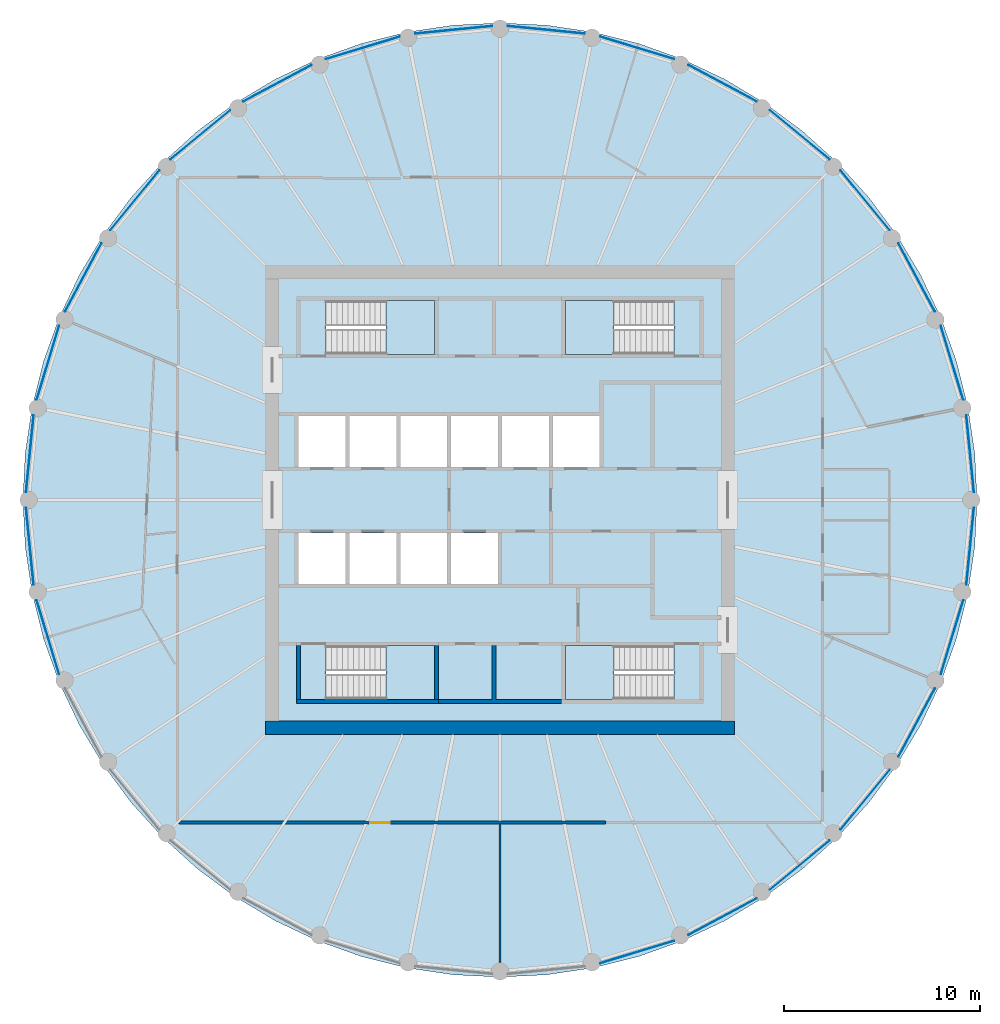
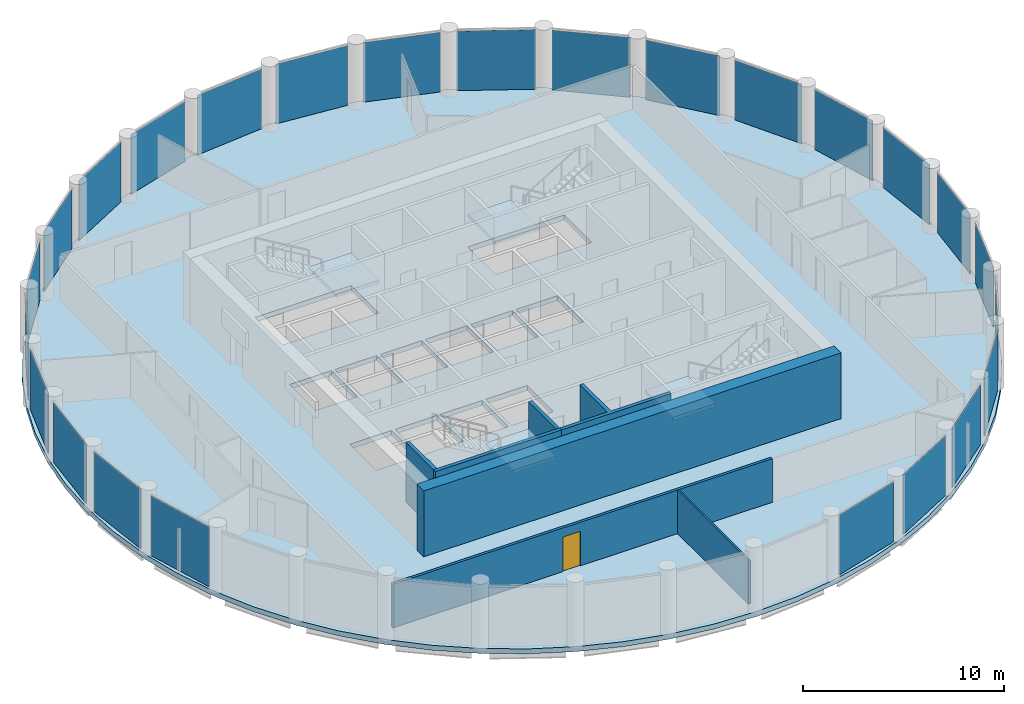
# One storey, part 3 of 7: 25 plates, 7 walls, 5 slabs, 1 door, 1 opening, 29 elements without a shape of their own.
"""IFC4 building model written with IfcOpenShell, lengths in metres."""

from ifc_helpers import new_model, si_unit, direction, frame, frame_2d, origin, origin_2d, place, context, subcontext, project, spatial, polyline, rectangle, outline, extrude, material, layer, layer_set, type_object, element, fill, aggregate, save


model = new_model("IFC4")

# Units and contexts
model_context = context("Model", 3, precision=1e-05, world=origin(), true_north=direction((0.0, 1.0)))
body_context = subcontext(model_context, "Body", "Model", "MODEL_VIEW")
ifc_project = project(units=[si_unit("LENGTHUNIT", "METRE"), si_unit("AREAUNIT", "SQUARE_METRE"), si_unit("VOLUMEUNIT", "CUBIC_METRE"), si_unit("PLANEANGLEUNIT", "RADIAN"), si_unit("MASSUNIT", "GRAM", prefix="KILO")], contexts=[model_context])

# Site, building, storey
site_placement = place(None, origin())
site = spatial("IfcSite", under=ifc_project, at=site_placement, CompositionType="ELEMENT")
building_placement = place(site_placement, origin())
building = spatial("IfcBuilding", under=site, at=building_placement, Name="Corvane Civic Tower", CompositionType="ELEMENT")
storey_placement = place(building_placement, frame((0.0, 0.0, 315.0)))
storey = spatial("IfcBuildingStorey", under=building, at=storey_placement, Name="L75", CompositionType="ELEMENT", Elevation=315.0)

# Slab
ifc_material_1 = material(Name="Concrete C40/50", Category="concrete")
ifc_layer_1 = layer(ifc_material_1, 0.300048828125)
ifc_layer_set_1 = layer_set([ifc_layer_1], Name="Concrete C40/50")
slab_type_1 = type_object("IfcSlabType", Name="FLOOR SLAB 300", PredefinedType="FLOOR", material=ifc_layer_set_1)
slab_1_placement = place(storey_placement, frame((0.0, 0.0, -0.300048828125)))
element("IfcSlab", 1, at=slab_1_placement, inside=storey, type_object=slab_type_1, Name="SLB-L75", PredefinedType="FLOOR", context=body_context, shape_type="SweptSolid", body=[
    extrude(outline(polyline([(0.0, 24.39990234375), (-2.3916015625, 24.282470703125), (-4.76025390625, 23.93115234375), (-7.0830078125, 23.349365234375), (-9.33740234375, 22.542724609375), (-11.502197265625, 21.518798828125), (-13.555908203125, 20.287841796875), (-15.479248046875, 18.861572265625), (-17.25341796875, 17.25341796875), (-18.861572265625, 15.479248046875), (-20.287841796875, 13.555908203125), (-21.518798828125, 11.502197265625), (-22.542724609375, 9.33740234375), (-23.349365234375, 7.0830078125), (-23.93115234375, 4.76025390625), (-24.282470703125, 2.3916015625), (-24.39990234375, 0.0), (-24.282470703125, -2.3916015625), (-23.93115234375, -4.76025390625), (-23.349365234375, -7.0830078125), (-22.542724609375, -9.33740234375), (-21.518798828125, -11.502197265625), (-20.287841796875, -13.555908203125), (-18.861572265625, -15.479248046875), (-17.25341796875, -17.25341796875), (-15.479248046875, -18.861572265625), (-13.555908203125, -20.287841796875), (-11.502197265625, -21.518798828125), (-9.33740234375, -22.542724609375), (-7.0830078125, -23.349365234375), (-4.76025390625, -23.93115234375), (-2.3916015625, -24.282470703125), (0.0, -24.39990234375), (2.3916015625, -24.282470703125), (4.76025390625, -23.93115234375), (7.0830078125, -23.349365234375), (9.33740234375, -22.542724609375), (11.502197265625, -21.518798828125), (13.555908203125, -20.287841796875), (15.479248046875, -18.861572265625), (17.25341796875, -17.25341796875), (18.861572265625, -15.479248046875), (20.287841796875, -13.555908203125), (21.518798828125, -11.502197265625), (22.542724609375, -9.33740234375), (23.349365234375, -7.0830078125), (23.93115234375, -4.76025390625), (24.282470703125, -2.3916015625), (24.39990234375, 0.0), (24.282470703125, 2.3916015625), (23.93115234375, 4.76025390625), (23.349365234375, 7.0830078125), (22.542724609375, 9.33740234375), (21.518798828125, 11.502197265625), (20.287841796875, 13.555908203125), (18.861572265625, 15.479248046875), (17.25341796875, 17.25341796875), (15.479248046875, 18.861572265625), (13.555908203125, 20.287841796875), (11.502197265625, 21.518798828125), (9.33740234375, 22.542724609375), (7.0830078125, 23.349365234375), (4.76025390625, 23.93115234375), (2.3916015625, 24.282470703125), (0.0, 24.39990234375)]), holes=[polyline([(-7.89990234375, 1.699951171875), (-10.300048828125, 1.699951171875), (-10.300048828125, 4.300048828125), (-7.89990234375, 4.300048828125), (-7.89990234375, 1.699951171875)]), polyline([(-5.300048828125, 1.699951171875), (-7.699951171875, 1.699951171875), (-7.699951171875, 4.300048828125), (-5.300048828125, 4.300048828125), (-5.300048828125, 1.699951171875)]), polyline([(-2.699951171875, 4.300048828125), (-2.699951171875, 1.699951171875), (-5.10009765625, 1.699951171875), (-5.10009765625, 4.300048828125), (-2.699951171875, 4.300048828125)]), polyline([(-0.10009765625, 4.300048828125), (-0.10009765625, 1.699951171875), (-2.5, 1.699951171875), (-2.5, 4.300048828125), (-0.10009765625, 4.300048828125)]), polyline([(2.5, 4.300048828125), (2.5, 1.699951171875), (0.10009765625, 1.699951171875), (0.10009765625, 4.300048828125), (2.5, 4.300048828125)]), polyline([(5.10009765625, 4.300048828125), (5.10009765625, 1.699951171875), (2.699951171875, 1.699951171875), (2.699951171875, 4.300048828125), (5.10009765625, 4.300048828125)]), polyline([(-10.300048828125, -4.300048828125), (-10.300048828125, -1.699951171875), (-7.89990234375, -1.699951171875), (-7.89990234375, -4.300048828125), (-10.300048828125, -4.300048828125)]), polyline([(-7.699951171875, -4.300048828125), (-7.699951171875, -1.699951171875), (-5.300048828125, -1.699951171875), (-5.300048828125, -4.300048828125), (-7.699951171875, -4.300048828125)]), polyline([(-2.699951171875, -1.699951171875), (-2.699951171875, -4.300048828125), (-5.10009765625, -4.300048828125), (-5.10009765625, -1.699951171875), (-2.699951171875, -1.699951171875)]), polyline([(-2.5, -4.300048828125), (-2.5, -1.699951171875), (-0.10009765625, -1.699951171875), (-0.10009765625, -4.300048828125), (-2.5, -4.300048828125)]), polyline([(8.889892578125, 10.199951171875), (8.889892578125, 7.449951171875), (3.35009765625, 7.449951171875), (3.35009765625, 10.199951171875), (8.889892578125, 10.199951171875)]), polyline([(-8.889892578125, 7.449951171875), (-8.889892578125, 10.199951171875), (-3.35009765625, 10.199951171875), (-3.35009765625, 7.449951171875), (-8.889892578125, 7.449951171875)]), polyline([(8.889892578125, -7.449951171875), (8.889892578125, -10.199951171875), (3.35009765625, -10.199951171875), (3.35009765625, -7.449951171875), (8.889892578125, -7.449951171875)]), polyline([(-8.889892578125, -10.199951171875), (-8.889892578125, -7.449951171875), (-3.35009765625, -7.449951171875), (-3.35009765625, -10.199951171875), (-8.889892578125, -10.199951171875)])]), origin(), (0.0, 0.0, 1.0), 0.300048828125),
])

# Stair, slab
ifc_material_2 = material(Name="Concrete C40/50", Category="concrete")
stair_type = type_object("IfcStairType", Name="ST-STAIR-HALFTURN", PredefinedType="HALF_TURN_STAIR", material=ifc_material_2)
stair_1_placement = place(storey_placement, origin())
stair_1 = element("IfcStair", 2, at=stair_1_placement, inside=storey, type_object=stair_type, Name="L75 Exit stair ST1", PredefinedType="HALF_TURN_STAIR")
ifc_material_3 = material(Name="Concrete C40/50", Category="concrete")
ifc_layer_2 = layer(ifc_material_3, 0.199951171875)
ifc_layer_set_2 = layer_set([ifc_layer_2], Name="Concrete C40/50")
slab_type_2 = type_object("IfcSlabType", Name="ST-LANDING-RC", PredefinedType="LANDING", material=ifc_layer_set_2)
slab_2_placement = place(storey_placement, frame((0.0, 0.0, 1.800048828125)))
slab_2 = element("IfcSlab", 3, at=slab_2_placement, type_object=slab_type_2, Name="ST1 landing 1", PredefinedType="LANDING", context=body_context, shape_type="SweptSolid", body=[
    extrude(outline(polyline([(5.820068359375, 10.199951171875), (3.35009765625, 10.199951171875), (3.35009765625, 7.449951171875), (5.820068359375, 7.449951171875), (5.820068359375, 10.199951171875)])), origin(), (0.0, 0.0, 1.0), 0.199951171875),
])
aggregate(stair_1, [slab_2])

stair_2_placement = place(storey_placement, origin())
stair_2 = element("IfcStair", 4, at=stair_2_placement, inside=storey, type_object=stair_type, Name="L75 Exit stair ST2", PredefinedType="HALF_TURN_STAIR")
slab_3_placement = place(storey_placement, frame((0.0, 0.0, 1.800048828125)))
slab_3 = element("IfcSlab", 5, at=slab_3_placement, type_object=slab_type_2, Name="ST2 landing 1", PredefinedType="LANDING", context=body_context, shape_type="SweptSolid", body=[
    extrude(outline(polyline([(5.820068359375, -7.449951171875), (3.35009765625, -7.449951171875), (3.35009765625, -10.199951171875), (5.820068359375, -10.199951171875), (5.820068359375, -7.449951171875)])), origin(), (0.0, 0.0, 1.0), 0.199951171875),
])
aggregate(stair_2, [slab_3])

stair_3_placement = place(storey_placement, origin())
stair_3 = element("IfcStair", 6, at=stair_3_placement, inside=storey, type_object=stair_type, Name="L75 Exit stair ST3", PredefinedType="HALF_TURN_STAIR")
slab_4_placement = place(storey_placement, frame((0.0, 0.0, 1.800048828125)))
slab_4 = element("IfcSlab", 7, at=slab_4_placement, type_object=slab_type_2, Name="ST3 landing 1", PredefinedType="LANDING", context=body_context, shape_type="SweptSolid", body=[
    extrude(outline(polyline([(-5.820068359375, -10.199951171875), (-3.35009765625, -10.199951171875), (-3.35009765625, -7.449951171875), (-5.820068359375, -7.449951171875), (-5.820068359375, -10.199951171875)])), origin(), (0.0, 0.0, 1.0), 0.199951171875),
])
aggregate(stair_3, [slab_4])

stair_4_placement = place(storey_placement, origin())
stair_4 = element("IfcStair", 8, at=stair_4_placement, inside=storey, type_object=stair_type, Name="L75 Exit stair ST4", PredefinedType="HALF_TURN_STAIR")
slab_5_placement = place(storey_placement, frame((0.0, 0.0, 1.800048828125)))
slab_5 = element("IfcSlab", 9, at=slab_5_placement, type_object=slab_type_2, Name="ST4 landing 1", PredefinedType="LANDING", context=body_context, shape_type="SweptSolid", body=[
    extrude(outline(polyline([(-5.820068359375, 7.449951171875), (-3.35009765625, 7.449951171875), (-3.35009765625, 10.199951171875), (-5.820068359375, 10.199951171875), (-5.820068359375, 7.449951171875)])), origin(), (0.0, 0.0, 1.0), 0.199951171875),
])
aggregate(stair_4, [slab_5])

# Curtain wall, plate
ifc_material_4 = material(Name="Anodised aluminium bronze", Category="aluminium")
curtain_wall_type = type_object("IfcCurtainWallType", Name="TOWER CW-T3 STICK CURTAIN WALL", PredefinedType="NOTDEFINED", material=ifc_material_4)
curtain_wall_1_placement = place(storey_placement, origin())
curtain_wall_1 = element("IfcCurtainWall", 10, at=curtain_wall_1_placement, inside=storey, type_object=curtain_wall_type, Name="Curtain wall CW-T3 L75 bay 01", PredefinedType="NOTDEFINED")
ifc_material_5 = material(Name="Tinted glass", Category="glass")
ifc_layer_3 = layer(ifc_material_5, 0.028076171875)
ifc_layer_set_3 = layer_set([ifc_layer_3], Name="Tinted glass")
plate_type = type_object("IfcPlateType", Name="TOWER CW-T3 PANEL IGU28", PredefinedType="CURTAIN_PANEL", material=ifc_layer_set_3)
plate_1_placement = place(storey_placement, frame((2.368408203125, 24.046875, 0.0), z_axis=(0.0, 0.0, 1.0), x_axis=(0.99518437747, -0.098020685775, 0.0)))
plate_1 = element("IfcPlate", 11, at=plate_1_placement, type_object=plate_type, Name="Glass panel CW-T3 L75 01.1", PredefinedType="CURTAIN_PANEL", context=body_context, shape_type="SweptSolid", body=[
    extrude(rectangle(XDim=3.958740234375, YDim=0.028076171875, at=origin_2d()), origin(), (0.0, 0.0, 1.0), 3.6298828125),
])
aggregate(curtain_wall_1, [plate_1])

curtain_wall_2_placement = place(storey_placement, origin())
curtain_wall_2 = element("IfcCurtainWall", 12, at=curtain_wall_2_placement, inside=storey, type_object=curtain_wall_type, Name="Curtain wall CW-T3 L75 bay 02", PredefinedType="NOTDEFINED")
plate_2_placement = place(storey_placement, frame((7.01416015625, 23.12255859375, 0.0), z_axis=(0.0, 0.0, 1.0), x_axis=(0.956943694519, -0.290273604586, 0.0)))
plate_2 = element("IfcPlate", 13, at=plate_2_placement, type_object=plate_type, Name="Glass panel CW-T3 L75 02.1", PredefinedType="CURTAIN_PANEL", context=body_context, shape_type="SweptSolid", body=[
    extrude(rectangle(XDim=3.958984375, YDim=0.028076171875, at=origin_2d()), origin(), (0.0, 0.0, 1.0), 3.6298828125),
])
aggregate(curtain_wall_2, [plate_2])

curtain_wall_3_placement = place(storey_placement, origin())
curtain_wall_3 = element("IfcCurtainWall", 14, at=curtain_wall_3_placement, inside=storey, type_object=curtain_wall_type, Name="Curtain wall CW-T3 L75 bay 03", PredefinedType="NOTDEFINED")
plate_3_placement = place(storey_placement, frame((11.390380859375, 21.31005859375, 0.0), z_axis=(0.0, 0.0, 1.0), x_axis=(0.881908138655, -0.471421292448, 0.0)))
plate_3 = element("IfcPlate", 15, at=plate_3_placement, type_object=plate_type, Name="Glass panel CW-T3 L75 03.1", PredefinedType="CURTAIN_PANEL", context=body_context, shape_type="SweptSolid", body=[
    extrude(rectangle(XDim=3.958740234375, YDim=0.028076171875, at=origin_2d()), origin(), (0.0, 0.0, 1.0), 3.6298828125),
])
aggregate(curtain_wall_3, [plate_3])

curtain_wall_4_placement = place(storey_placement, origin())
curtain_wall_4 = element("IfcCurtainWall", 16, at=curtain_wall_4_placement, inside=storey, type_object=curtain_wall_type, Name="Curtain wall CW-T3 L75 bay 04", PredefinedType="NOTDEFINED")
plate_4_placement = place(storey_placement, frame((15.328857421875, 18.67822265625, 0.0), z_axis=(0.0, 0.0, 1.0), x_axis=(0.773001130565, -0.634404643855, 0.0)))
plate_4 = element("IfcPlate", 17, at=plate_4_placement, type_object=plate_type, Name="Glass panel CW-T3 L75 04.1", PredefinedType="CURTAIN_PANEL", context=body_context, shape_type="SweptSolid", body=[
    extrude(rectangle(XDim=3.958740234375, YDim=0.028076171875, at=origin_2d()), origin(), (0.0, 0.0, 1.0), 3.6298828125),
])
aggregate(curtain_wall_4, [plate_4])

curtain_wall_5_placement = place(storey_placement, origin())
curtain_wall_5 = element("IfcCurtainWall", 18, at=curtain_wall_5_placement, inside=storey, type_object=curtain_wall_type, Name="Curtain wall CW-T3 L75 bay 05", PredefinedType="NOTDEFINED")
plate_5_placement = place(storey_placement, frame((18.67822265625, 15.328857421875, 0.0), z_axis=(0.0, 0.0, 1.0), x_axis=(0.634404643855, -0.773001130565, 0.0)))
plate_5 = element("IfcPlate", 19, at=plate_5_placement, type_object=plate_type, Name="Glass panel CW-T3 L75 05.1", PredefinedType="CURTAIN_PANEL", context=body_context, shape_type="SweptSolid", body=[
    extrude(rectangle(XDim=3.958740234375, YDim=0.028076171875, at=origin_2d()), origin(), (0.0, 0.0, 1.0), 3.6298828125),
])
aggregate(curtain_wall_5, [plate_5])

curtain_wall_6_placement = place(storey_placement, origin())
curtain_wall_6 = element("IfcCurtainWall", 20, at=curtain_wall_6_placement, inside=storey, type_object=curtain_wall_type, Name="Curtain wall CW-T3 L75 bay 06", PredefinedType="NOTDEFINED")
plate_6_placement = place(storey_placement, frame((21.31005859375, 11.390380859375, 0.0), z_axis=(0.0, 0.0, 1.0), x_axis=(0.471421292448, -0.881908138655, 0.0)))
plate_6 = element("IfcPlate", 21, at=plate_6_placement, type_object=plate_type, Name="Glass panel CW-T3 L75 06.1", PredefinedType="CURTAIN_PANEL", context=body_context, shape_type="SweptSolid", body=[
    extrude(rectangle(XDim=3.958740234375, YDim=0.028076171875, at=origin_2d()), origin(), (0.0, 0.0, 1.0), 3.6298828125),
])
aggregate(curtain_wall_6, [plate_6])

curtain_wall_7_placement = place(storey_placement, origin())
curtain_wall_7 = element("IfcCurtainWall", 22, at=curtain_wall_7_placement, inside=storey, type_object=curtain_wall_type, Name="Curtain wall CW-T3 L75 bay 07", PredefinedType="NOTDEFINED")
plate_7_placement = place(storey_placement, frame((23.12255859375, 7.01416015625, 0.0), z_axis=(0.0, 0.0, 1.0), x_axis=(0.290273604586, -0.956943694519, 0.0)))
plate_7 = element("IfcPlate", 23, at=plate_7_placement, type_object=plate_type, Name="Glass panel CW-T3 L75 07.1", PredefinedType="CURTAIN_PANEL", context=body_context, shape_type="SweptSolid", body=[
    extrude(rectangle(XDim=3.958984375, YDim=0.028076171875, at=origin_2d()), origin(), (0.0, 0.0, 1.0), 3.6298828125),
])
aggregate(curtain_wall_7, [plate_7])

curtain_wall_8_placement = place(storey_placement, origin())
curtain_wall_8 = element("IfcCurtainWall", 24, at=curtain_wall_8_placement, inside=storey, type_object=curtain_wall_type, Name="Curtain wall CW-T3 L75 bay 08", PredefinedType="NOTDEFINED")
plate_8_placement = place(storey_placement, frame((24.046875, 2.368408203125, 0.0), z_axis=(0.0, 0.0, 1.0), x_axis=(0.098020685775, -0.99518437747, 0.0)))
plate_8 = element("IfcPlate", 25, at=plate_8_placement, type_object=plate_type, Name="Glass panel CW-T3 L75 08.1", PredefinedType="CURTAIN_PANEL", context=body_context, shape_type="SweptSolid", body=[
    extrude(rectangle(XDim=3.958740234375, YDim=0.028076171875, at=origin_2d()), origin(), (0.0, 0.0, 1.0), 3.6298828125),
])
aggregate(curtain_wall_8, [plate_8])

curtain_wall_9_placement = place(storey_placement, origin())
curtain_wall_9 = element("IfcCurtainWall", 26, at=curtain_wall_9_placement, inside=storey, type_object=curtain_wall_type, Name="Curtain wall CW-T3 L75 bay 09", PredefinedType="NOTDEFINED")
plate_9_placement = place(storey_placement, frame((24.046875, -2.368408203125, 0.0), z_axis=(0.0, 0.0, 1.0), x_axis=(-0.098020685775, -0.99518437747, 0.0)))
plate_9 = element("IfcPlate", 27, at=plate_9_placement, type_object=plate_type, Name="Glass panel CW-T3 L75 09.1", PredefinedType="CURTAIN_PANEL", context=body_context, shape_type="SweptSolid", body=[
    extrude(rectangle(XDim=3.958740234375, YDim=0.028076171875, at=origin_2d()), origin(), (0.0, 0.0, 1.0), 3.6298828125),
])
aggregate(curtain_wall_9, [plate_9])

curtain_wall_10_placement = place(storey_placement, origin())
curtain_wall_10 = element("IfcCurtainWall", 28, at=curtain_wall_10_placement, inside=storey, type_object=curtain_wall_type, Name="Curtain wall CW-T3 L75 bay 10", PredefinedType="NOTDEFINED")
plate_10_placement = place(storey_placement, frame((23.12255859375, -7.01416015625, 0.0), z_axis=(0.0, 0.0, 1.0), x_axis=(-0.290273604586, -0.956943694519, 0.0)))
plate_10 = element("IfcPlate", 29, at=plate_10_placement, type_object=plate_type, Name="Glass panel CW-T3 L75 10.1", PredefinedType="CURTAIN_PANEL", context=body_context, shape_type="SweptSolid", body=[
    extrude(rectangle(XDim=3.958984375, YDim=0.028076171875, at=origin_2d()), origin(), (0.0, 0.0, 1.0), 3.6298828125),
])
aggregate(curtain_wall_10, [plate_10])

curtain_wall_11_placement = place(storey_placement, origin())
curtain_wall_11 = element("IfcCurtainWall", 30, at=curtain_wall_11_placement, inside=storey, type_object=curtain_wall_type, Name="Curtain wall CW-T3 L75 bay 11", PredefinedType="NOTDEFINED")
plate_11_placement = place(storey_placement, frame((21.31005859375, -11.390380859375, 0.0), z_axis=(0.0, 0.0, 1.0), x_axis=(-0.471421292448, -0.881908138655, 0.0)))
plate_11 = element("IfcPlate", 31, at=plate_11_placement, type_object=plate_type, Name="Glass panel CW-T3 L75 11.1", PredefinedType="CURTAIN_PANEL", context=body_context, shape_type="SweptSolid", body=[
    extrude(rectangle(XDim=3.958740234375, YDim=0.028076171875, at=origin_2d()), origin(), (0.0, 0.0, 1.0), 3.6298828125),
])
aggregate(curtain_wall_11, [plate_11])

curtain_wall_12_placement = place(storey_placement, origin())
curtain_wall_12 = element("IfcCurtainWall", 32, at=curtain_wall_12_placement, inside=storey, type_object=curtain_wall_type, Name="Curtain wall CW-T3 L75 bay 12", PredefinedType="NOTDEFINED")
plate_12_placement = place(storey_placement, frame((18.67822265625, -15.328857421875, 0.0), z_axis=(0.0, 0.0, 1.0), x_axis=(-0.634404643855, -0.773001130565, 0.0)))
plate_12 = element("IfcPlate", 33, at=plate_12_placement, type_object=plate_type, Name="Glass panel CW-T3 L75 12.1", PredefinedType="CURTAIN_PANEL", context=body_context, shape_type="SweptSolid", body=[
    extrude(rectangle(XDim=3.958740234375, YDim=0.028076171875, at=origin_2d()), origin(), (0.0, 0.0, 1.0), 3.6298828125),
])
aggregate(curtain_wall_12, [plate_12])

curtain_wall_13_placement = place(storey_placement, origin())
curtain_wall_13 = element("IfcCurtainWall", 34, at=curtain_wall_13_placement, inside=storey, type_object=curtain_wall_type, Name="Curtain wall CW-T3 L75 bay 13", PredefinedType="NOTDEFINED")
plate_13_placement = place(storey_placement, frame((15.328857421875, -18.67822265625, 0.0), z_axis=(0.0, 0.0, 1.0), x_axis=(-0.773001130565, -0.634404643855, 0.0)))
plate_13 = element("IfcPlate", 35, at=plate_13_placement, type_object=plate_type, Name="Glass panel CW-T3 L75 13.1", PredefinedType="CURTAIN_PANEL", context=body_context, shape_type="SweptSolid", body=[
    extrude(rectangle(XDim=3.958740234375, YDim=0.028076171875, at=origin_2d()), origin(), (0.0, 0.0, 1.0), 3.6298828125),
])
aggregate(curtain_wall_13, [plate_13])

curtain_wall_14_placement = place(storey_placement, origin())
curtain_wall_14 = element("IfcCurtainWall", 36, at=curtain_wall_14_placement, inside=storey, type_object=curtain_wall_type, Name="Curtain wall CW-T3 L75 bay 14", PredefinedType="NOTDEFINED")
plate_14_placement = place(storey_placement, frame((11.390380859375, -21.31005859375, 0.0), z_axis=(0.0, 0.0, 1.0), x_axis=(-0.881908138655, -0.471421292448, 0.0)))
plate_14 = element("IfcPlate", 37, at=plate_14_placement, type_object=plate_type, Name="Glass panel CW-T3 L75 14.1", PredefinedType="CURTAIN_PANEL", context=body_context, shape_type="SweptSolid", body=[
    extrude(rectangle(XDim=3.958740234375, YDim=0.028076171875, at=origin_2d()), origin(), (0.0, 0.0, 1.0), 3.6298828125),
])
aggregate(curtain_wall_14, [plate_14])

curtain_wall_15_placement = place(storey_placement, origin())
curtain_wall_15 = element("IfcCurtainWall", 38, at=curtain_wall_15_placement, inside=storey, type_object=curtain_wall_type, Name="Curtain wall CW-T3 L75 bay 15", PredefinedType="NOTDEFINED")
plate_15_placement = place(storey_placement, frame((7.01416015625, -23.12255859375, 0.0), z_axis=(0.0, 0.0, 1.0), x_axis=(-0.956943694519, -0.290273604586, 0.0)))
plate_15 = element("IfcPlate", 39, at=plate_15_placement, type_object=plate_type, Name="Glass panel CW-T3 L75 15.1", PredefinedType="CURTAIN_PANEL", context=body_context, shape_type="SweptSolid", body=[
    extrude(rectangle(XDim=3.958984375, YDim=0.028076171875, at=origin_2d()), origin(), (0.0, 0.0, 1.0), 3.6298828125),
])
aggregate(curtain_wall_15, [plate_15])

curtain_wall_16_placement = place(storey_placement, origin())
curtain_wall_16 = element("IfcCurtainWall", 40, at=curtain_wall_16_placement, inside=storey, type_object=curtain_wall_type, Name="Curtain wall CW-T3 L75 bay 23", PredefinedType="NOTDEFINED")
plate_16_placement = place(storey_placement, frame((-23.12255859375, -7.01416015625, 0.0), z_axis=(0.0, 0.0, 1.0), x_axis=(-0.290273604586, 0.956943694519, 0.0)))
plate_16 = element("IfcPlate", 41, at=plate_16_placement, type_object=plate_type, Name="Glass panel CW-T3 L75 23.1", PredefinedType="CURTAIN_PANEL", context=body_context, shape_type="SweptSolid", body=[
    extrude(rectangle(XDim=3.958984375, YDim=0.028076171875, at=origin_2d()), origin(), (0.0, 0.0, 1.0), 3.6298828125),
])
aggregate(curtain_wall_16, [plate_16])

curtain_wall_17_placement = place(storey_placement, origin())
curtain_wall_17 = element("IfcCurtainWall", 42, at=curtain_wall_17_placement, inside=storey, type_object=curtain_wall_type, Name="Curtain wall CW-T3 L75 bay 24", PredefinedType="NOTDEFINED")
plate_17_placement = place(storey_placement, frame((-24.046875, -2.368408203125, 0.0), z_axis=(0.0, 0.0, 1.0), x_axis=(-0.098020685775, 0.99518437747, 0.0)))
plate_17 = element("IfcPlate", 43, at=plate_17_placement, type_object=plate_type, Name="Glass panel CW-T3 L75 24.1", PredefinedType="CURTAIN_PANEL", context=body_context, shape_type="SweptSolid", body=[
    extrude(rectangle(XDim=3.958740234375, YDim=0.028076171875, at=origin_2d()), origin(), (0.0, 0.0, 1.0), 3.6298828125),
])
aggregate(curtain_wall_17, [plate_17])

curtain_wall_18_placement = place(storey_placement, origin())
curtain_wall_18 = element("IfcCurtainWall", 44, at=curtain_wall_18_placement, inside=storey, type_object=curtain_wall_type, Name="Curtain wall CW-T3 L75 bay 25", PredefinedType="NOTDEFINED")
plate_18_placement = place(storey_placement, frame((-24.046875, 2.368408203125, 0.0), z_axis=(0.0, 0.0, 1.0), x_axis=(0.098020685775, 0.99518437747, 0.0)))
plate_18 = element("IfcPlate", 45, at=plate_18_placement, type_object=plate_type, Name="Glass panel CW-T3 L75 25.1", PredefinedType="CURTAIN_PANEL", context=body_context, shape_type="SweptSolid", body=[
    extrude(rectangle(XDim=3.958740234375, YDim=0.028076171875, at=origin_2d()), origin(), (0.0, 0.0, 1.0), 3.6298828125),
])
aggregate(curtain_wall_18, [plate_18])

curtain_wall_19_placement = place(storey_placement, origin())
curtain_wall_19 = element("IfcCurtainWall", 46, at=curtain_wall_19_placement, inside=storey, type_object=curtain_wall_type, Name="Curtain wall CW-T3 L75 bay 26", PredefinedType="NOTDEFINED")
plate_19_placement = place(storey_placement, frame((-23.12255859375, 7.01416015625, 0.0), z_axis=(0.0, 0.0, 1.0), x_axis=(0.290273604586, 0.956943694519, 0.0)))
plate_19 = element("IfcPlate", 47, at=plate_19_placement, type_object=plate_type, Name="Glass panel CW-T3 L75 26.1", PredefinedType="CURTAIN_PANEL", context=body_context, shape_type="SweptSolid", body=[
    extrude(rectangle(XDim=3.958984375, YDim=0.028076171875, at=origin_2d()), origin(), (0.0, 0.0, 1.0), 3.6298828125),
])
aggregate(curtain_wall_19, [plate_19])

curtain_wall_20_placement = place(storey_placement, origin())
curtain_wall_20 = element("IfcCurtainWall", 48, at=curtain_wall_20_placement, inside=storey, type_object=curtain_wall_type, Name="Curtain wall CW-T3 L75 bay 27", PredefinedType="NOTDEFINED")
plate_20_placement = place(storey_placement, frame((-21.31005859375, 11.390380859375, 0.0), z_axis=(0.0, 0.0, 1.0), x_axis=(0.471421292448, 0.881908138655, 0.0)))
plate_20 = element("IfcPlate", 49, at=plate_20_placement, type_object=plate_type, Name="Glass panel CW-T3 L75 27.1", PredefinedType="CURTAIN_PANEL", context=body_context, shape_type="SweptSolid", body=[
    extrude(rectangle(XDim=3.958740234375, YDim=0.028076171875, at=origin_2d()), origin(), (0.0, 0.0, 1.0), 3.6298828125),
])
aggregate(curtain_wall_20, [plate_20])

curtain_wall_21_placement = place(storey_placement, origin())
curtain_wall_21 = element("IfcCurtainWall", 50, at=curtain_wall_21_placement, inside=storey, type_object=curtain_wall_type, Name="Curtain wall CW-T3 L75 bay 28", PredefinedType="NOTDEFINED")
plate_21_placement = place(storey_placement, frame((-18.67822265625, 15.328857421875, 0.0), z_axis=(0.0, 0.0, 1.0), x_axis=(0.634404643855, 0.773001130565, 0.0)))
plate_21 = element("IfcPlate", 51, at=plate_21_placement, type_object=plate_type, Name="Glass panel CW-T3 L75 28.1", PredefinedType="CURTAIN_PANEL", context=body_context, shape_type="SweptSolid", body=[
    extrude(rectangle(XDim=3.958740234375, YDim=0.028076171875, at=origin_2d()), origin(), (0.0, 0.0, 1.0), 3.6298828125),
])
aggregate(curtain_wall_21, [plate_21])

curtain_wall_22_placement = place(storey_placement, origin())
curtain_wall_22 = element("IfcCurtainWall", 52, at=curtain_wall_22_placement, inside=storey, type_object=curtain_wall_type, Name="Curtain wall CW-T3 L75 bay 29", PredefinedType="NOTDEFINED")
plate_22_placement = place(storey_placement, frame((-15.328857421875, 18.67822265625, 0.0), z_axis=(0.0, 0.0, 1.0), x_axis=(0.773001130565, 0.634404643855, 0.0)))
plate_22 = element("IfcPlate", 53, at=plate_22_placement, type_object=plate_type, Name="Glass panel CW-T3 L75 29.1", PredefinedType="CURTAIN_PANEL", context=body_context, shape_type="SweptSolid", body=[
    extrude(rectangle(XDim=3.958740234375, YDim=0.028076171875, at=origin_2d()), origin(), (0.0, 0.0, 1.0), 3.6298828125),
])
aggregate(curtain_wall_22, [plate_22])

curtain_wall_23_placement = place(storey_placement, origin())
curtain_wall_23 = element("IfcCurtainWall", 54, at=curtain_wall_23_placement, inside=storey, type_object=curtain_wall_type, Name="Curtain wall CW-T3 L75 bay 30", PredefinedType="NOTDEFINED")
plate_23_placement = place(storey_placement, frame((-11.390380859375, 21.31005859375, 0.0), z_axis=(0.0, 0.0, 1.0), x_axis=(0.881908138655, 0.471421292448, 0.0)))
plate_23 = element("IfcPlate", 55, at=plate_23_placement, type_object=plate_type, Name="Glass panel CW-T3 L75 30.1", PredefinedType="CURTAIN_PANEL", context=body_context, shape_type="SweptSolid", body=[
    extrude(rectangle(XDim=3.958740234375, YDim=0.028076171875, at=origin_2d()), origin(), (0.0, 0.0, 1.0), 3.6298828125),
])
aggregate(curtain_wall_23, [plate_23])

curtain_wall_24_placement = place(storey_placement, origin())
curtain_wall_24 = element("IfcCurtainWall", 56, at=curtain_wall_24_placement, inside=storey, type_object=curtain_wall_type, Name="Curtain wall CW-T3 L75 bay 31", PredefinedType="NOTDEFINED")
plate_24_placement = place(storey_placement, frame((-7.01416015625, 23.12255859375, 0.0), z_axis=(0.0, 0.0, 1.0), x_axis=(0.956943694519, 0.290273604586, 0.0)))
plate_24 = element("IfcPlate", 57, at=plate_24_placement, type_object=plate_type, Name="Glass panel CW-T3 L75 31.1", PredefinedType="CURTAIN_PANEL", context=body_context, shape_type="SweptSolid", body=[
    extrude(rectangle(XDim=3.958984375, YDim=0.028076171875, at=origin_2d()), origin(), (0.0, 0.0, 1.0), 3.6298828125),
])
aggregate(curtain_wall_24, [plate_24])

curtain_wall_25_placement = place(storey_placement, origin())
curtain_wall_25 = element("IfcCurtainWall", 58, at=curtain_wall_25_placement, inside=storey, type_object=curtain_wall_type, Name="Curtain wall CW-T3 L75 bay 32", PredefinedType="NOTDEFINED")
plate_25_placement = place(storey_placement, frame((-2.368408203125, 24.046875, 0.0), z_axis=(0.0, 0.0, 1.0), x_axis=(0.99518437747, 0.098020685775, 0.0)))
plate_25 = element("IfcPlate", 59, at=plate_25_placement, type_object=plate_type, Name="Glass panel CW-T3 L75 32.1", PredefinedType="CURTAIN_PANEL", context=body_context, shape_type="SweptSolid", body=[
    extrude(rectangle(XDim=3.958740234375, YDim=0.028076171875, at=origin_2d()), origin(), (0.0, 0.0, 1.0), 3.6298828125),
])
aggregate(curtain_wall_25, [plate_25])

# Walls
ifc_material_6 = material(Name="Concrete C40/50", Category="concrete")
ifc_layer_4 = layer(ifc_material_6, 0.699951171875)
ifc_layer_set_4 = layer_set([ifc_layer_4], Name="Concrete C40/50")
wall_type_1 = type_object("IfcWallType", Name="CORE WALL 700 C40/50", PredefinedType="SHEAR", material=ifc_layer_set_4)
wall_1_placement = place(storey_placement, frame((-12.0, -11.64990234375, 0.0), z_axis=(0.0, 0.0, 1.0), x_axis=(1.0, 0.0, 0.0)))
element("IfcWall", 60, at=wall_1_placement, inside=storey, type_object=wall_type_1, Name="W-L75-core-S", PredefinedType="SHEAR", context=body_context, shape_type="SweptSolid", body=[
    extrude(rectangle(XDim=24.0, YDim=0.699951171875, at=frame_2d((12.0, 0.0))), origin(), (0.0, 0.0, 1.0), 4.0),
])
ifc_material_7 = material(Name="Concrete C30/37", Category="concrete")
ifc_layer_5 = layer(ifc_material_7, 0.199951171875)
ifc_layer_set_5 = layer_set([ifc_layer_5], Name="Concrete C30/37")
wall_type_2 = type_object("IfcWallType", Name="CR-WALL-200", PredefinedType="PARTITIONING", material=ifc_layer_set_5)
wall_2_placement = place(storey_placement, origin())
element("IfcWall", 61, at=wall_2_placement, inside=storey, type_object=wall_type_2, Name="L75 core partition wall", PredefinedType="PARTITIONING", context=body_context, shape_type="SweptSolid", body=[
    extrude(outline(polyline([(-0.199951171875, -7.449951171875), (-0.199951171875, -10.199951171875), (3.14990234375, -10.199951171875), (3.14990234375, -10.39990234375), (-3.14990234375, -10.39990234375), (-3.14990234375, -10.199951171875), (-0.39990234375, -10.199951171875), (-0.39990234375, -7.449951171875), (-0.199951171875, -7.449951171875)])), origin(), (0.0, 0.0, 1.0), 3.64990234375),
])
ifc_material_8 = material(Name="Plasterboard")
ifc_layer_6 = layer(ifc_material_8, 0.10009765625)
ifc_layer_set_6 = layer_set([ifc_layer_6], Name="Plasterboard")
wall_type_3 = type_object("IfcWallType", Name="Partition 100 plasterboard on studs", PredefinedType="PARTITIONING", material=ifc_layer_set_6)
wall_3_placement = place(storey_placement, frame((0.0, -23.64013671875, 0.0), z_axis=(0.0, 0.0, 1.0), x_axis=(0.0, 1.0, 0.0)))
element("IfcWall", 62, at=wall_3_placement, inside=storey, type_object=wall_type_3, Name="Partition L75.001", PredefinedType="PARTITIONING", context=body_context, shape_type="SweptSolid", body=[
    extrude(rectangle(XDim=7.065185546875, YDim=0.10009765625, at=frame_2d((3.53271484375, 0.0))), origin(), (0.0, 0.0, 1.0), 2.64990234375),
])
ifc_material_9 = material(Name="Concrete C50/60", Category="concrete")
ifc_layer_7 = layer(ifc_material_9, 0.199951171875)
ifc_layer_set_7 = layer_set([ifc_layer_7], Name="Concrete C50/60")
wall_type_4 = type_object("IfcWallType", Name="ST-WALL-200", PredefinedType="SHEAR", material=ifc_layer_set_7)
wall_4_placement = place(storey_placement, origin())
element("IfcWall", 63, at=wall_4_placement, inside=storey, type_object=wall_type_4, Name="L75 stair enclosure wall", PredefinedType="SHEAR", context=body_context, shape_type="SweptSolid", body=[
    extrude(outline(polyline([(-3.14990234375, -10.199951171875), (-3.14990234375, -10.39990234375), (-10.39990234375, -10.39990234375), (-10.39990234375, -10.199951171875), (-3.14990234375, -10.199951171875)])), origin(), (0.0, 0.0, 1.0), 3.64990234375),
])
wall_5_placement = place(storey_placement, origin())
element("IfcWall", 64, at=wall_5_placement, inside=storey, type_object=wall_type_4, Name="L75 stair enclosure wall", PredefinedType="SHEAR", context=body_context, shape_type="SweptSolid", body=[
    extrude(outline(polyline([(-3.14990234375, -7.449951171875), (-3.14990234375, -10.199951171875), (-3.35009765625, -10.199951171875), (-3.35009765625, -7.449951171875), (-3.14990234375, -7.449951171875)])), origin(), (0.0, 0.0, 1.0), 3.64990234375),
])
wall_6_placement = place(storey_placement, origin())
element("IfcWall", 65, at=wall_6_placement, inside=storey, type_object=wall_type_4, Name="L75 stair enclosure wall", PredefinedType="SHEAR", context=body_context, shape_type="SweptSolid", body=[
    extrude(outline(polyline([(-10.199951171875, -7.449951171875), (-10.199951171875, -10.199951171875), (-10.39990234375, -10.199951171875), (-10.39990234375, -7.449951171875), (-10.199951171875, -7.449951171875)])), origin(), (0.0, 0.0, 1.0), 3.64990234375),
])

# Wall, opening, door
ifc_material_10 = material(Name="Plasterboard")
ifc_layer_8 = layer(ifc_material_10, 0.14990234375)
ifc_layer_set_8 = layer_set([ifc_layer_8], Name="Plasterboard")
wall_type_5 = type_object("IfcWallType", Name="Tenancy wall 150 EI 60", PredefinedType="PARTITIONING", material=ifc_layer_set_8)
wall_7_placement = place(storey_placement, frame((-16.425048828125, -16.5, 0.0), z_axis=(0.0, 0.0, 1.0), x_axis=(1.0, 0.0, 0.0)))
wall_7 = element("IfcWall", 66, at=wall_7_placement, inside=storey, type_object=wall_type_5, Name="Partition L75.003", PredefinedType="PARTITIONING", context=body_context, shape_type="SweptSolid", body=[
    extrude(rectangle(XDim=21.821044921875, YDim=0.14990234375, at=frame_2d((10.91064453125, 0.0))), origin(), (0.0, 0.0, 1.0), 2.64990234375),
])
opening_placement = place(wall_7_placement, frame((9.7822265625, 0.0, 0.0)))
opening = element("IfcOpeningElement", 67, at=opening_placement, cuts=wall_7, Name="Opening L75.003", PredefinedType="OPENING", context=body_context, shape_type="SweptSolid", body=[
    extrude(rectangle(XDim=1.0, YDim=2.10009765625, at=frame_2d((0.5, 1.050048828125))), frame((0.0, 0.0849609375, 0.0), z_axis=(0.0, -1.0, 0.0), x_axis=(1.0, 0.0, 0.0)), (0.0, 0.0, 1.0), 0.169921875),
])
ifc_material_11 = material(Name="Steel and timber", Category="steel")
door_type = type_object("IfcDoorType", Name="Fire door FD30S 1000", OperationType="NOTDEFINED", PredefinedType="DOOR", material=ifc_material_11)
door_placement = place(opening_placement, frame((1.0, 0.0, 0.0), z_axis=(0.0, 0.0, 1.0), x_axis=(-1.0, 0.0, 0.0)))
door = element("IfcDoor", 68, at=door_placement, inside=storey, type_object=door_type, Name="Door L75.003", OperationType="SINGLE_SWING_LEFT", OverallHeight=2.10009765625, OverallWidth=1.0, PredefinedType="DOOR", context=body_context, shape_type="SweptSolid", body=[
    extrude(rectangle(XDim=1.0, YDim=2.10009765625, at=frame_2d((0.5, 1.050048828125))), frame((0.0, 0.02490234375, 0.0), z_axis=(0.0, -1.0, 0.0), x_axis=(1.0, 0.0, 0.0)), (0.0, 0.0, 1.0), 0.050048828125),
])
fill(opening, door)

save(model, "model.ifc")
